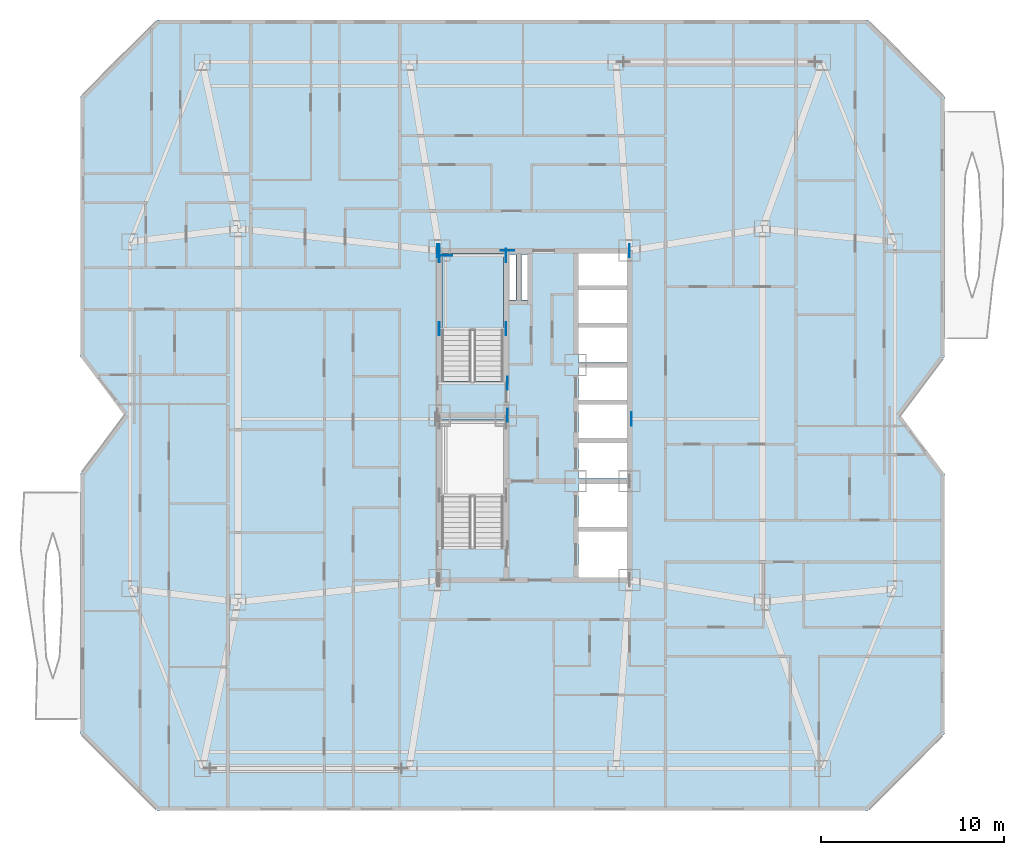
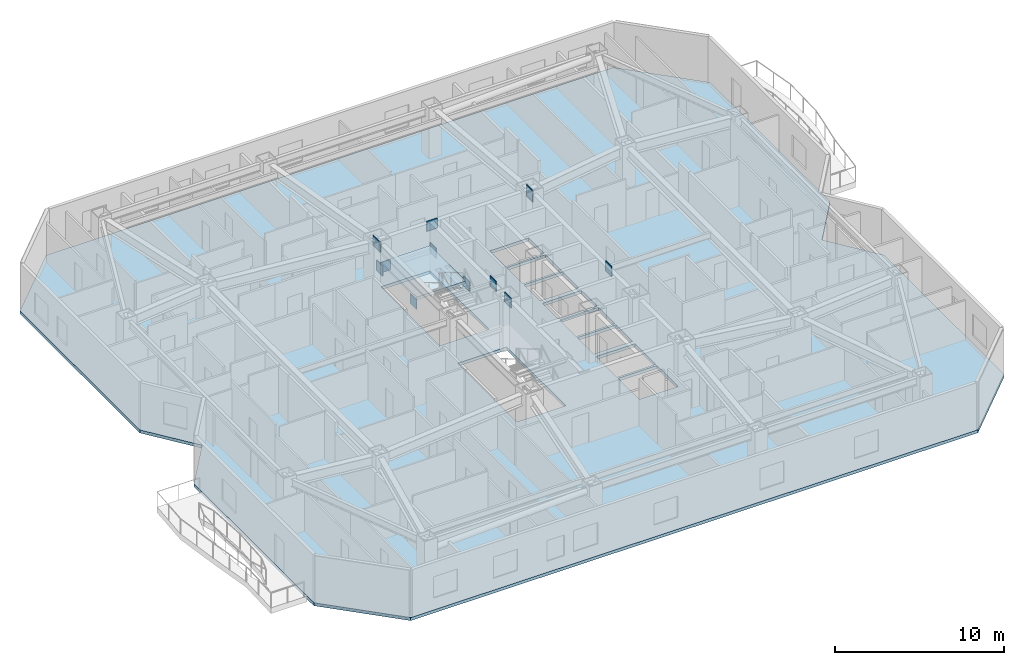
# One storey, part 3 of 16: 13 plates, 2 slabs, 1 element without a shape of its own.
"""IFC4 building model written with IfcOpenShell, lengths in metres."""

import ifcopenshell
import ifcopenshell.guid

model = None  # the IFC model being written
_history = None  # IfcOwnerHistory: only IFC2X3 demands one
_inside = {}  # id of a spatial element -> (the spatial element, [elements in it])
_under = {}  # id of a project, library or spatial element -> (it, [spatial elements below it])
_declared = {}  # id of a project -> (the project, [libraries it declares])
_typed = {}  # id of a type object -> (the type object, [elements of that type])
_made_of = {}  # id of a material, layer set ... -> (it, [elements and type objects made of it])


def new_model(schema):
    """Start an empty IFC model of exactly this schema.

    Asked for "IFC4X3", IfcOpenShell would pick the latest addendum, in which some entities
    have other attributes; the version numbers below select the first issue.
    IFC2X3 requires an IfcOwnerHistory on every rooted entity: one is made here for all.
    """
    global model, _history
    if schema == "IFC4X3":
        model = ifcopenshell.file(schema_version=(4, 3, 0, 0))
    else:
        model = ifcopenshell.file(schema=schema)
    _inside.clear()
    _under.clear()
    _declared.clear()
    _typed.clear()
    _made_of.clear()
    _history = None
    if model.schema == "IFC2X3":
        org = make("IfcOrganization", Name="unknown")
        user = make(
            "IfcPersonAndOrganization",
            ThePerson=make("IfcPerson", FamilyName="unknown"),
            TheOrganization=org,
        )
        app = make(
            "IfcApplication",
            ApplicationDeveloper=org,
            Version="unknown",
            ApplicationFullName="unknown",
            ApplicationIdentifier="unknown",
        )
        _history = make(
            "IfcOwnerHistory",
            OwningUser=user,
            OwningApplication=app,
            ChangeAction="ADDED",
            CreationDate=0,
        )
    return model


def make(cls, **values):
    """One entity of the class cls with the attributes given. An attribute that is None is left unset."""
    return model.create_entity(
        cls, **{name: value for name, value in values.items() if value is not None}
    )


def rooted(cls, **values):
    """An entity with a GlobalId (a new one), such as an element, a storey or a relation."""
    return make(cls, GlobalId=ifcopenshell.guid.new(), OwnerHistory=_history, **values)


def si_unit(unit_type, name, prefix=None):
    """IfcSIUnit, for example si_unit("LENGTHUNIT", "METRE", prefix="MILLI")."""
    return make("IfcSIUnit", UnitType=unit_type, Prefix=prefix, Name=name)


def assignment(units):
    """IfcUnitAssignment: the units of a project."""
    return None if units is None else make("IfcUnitAssignment", Units=units)


def point(xyz):
    """IfcCartesianPoint."""
    return None if xyz is None else make("IfcCartesianPoint", Coordinates=xyz)


def direction(xyz):
    """IfcDirection."""
    return None if xyz is None else make("IfcDirection", DirectionRatios=xyz)


def frame(location, z_axis=None, x_axis=None):
    """IfcAxis2Placement3D, a coordinate frame: its origin and axes. An axis left out is left unset."""
    return make(
        "IfcAxis2Placement3D",
        Location=point(location),
        Axis=direction(z_axis),
        RefDirection=direction(x_axis),
    )


def frame_2d(location, x_axis=None):
    """IfcAxis2Placement2D, a coordinate frame in the plane: its origin and x axis."""
    return make(
        "IfcAxis2Placement2D", Location=point(location), RefDirection=direction(x_axis)
    )


def origin():
    """The frame at (0, 0, 0) with its axes left unset."""
    return frame((0.0, 0.0, 0.0))


def origin_2d():
    """The frame at (0, 0) in the plane with its x axis left unset."""
    return frame_2d((0.0, 0.0))


def place(relative_to, where):
    """IfcLocalPlacement: puts the frame where relative to a parent placement (None: the world)."""
    return make(
        "IfcLocalPlacement", PlacementRelTo=relative_to, RelativePlacement=where
    )


def context(
    kind, dimensions, precision=None, world=None, true_north=None, identifier=None
):
    """IfcGeometricRepresentationContext, for example the 3D "Model" context."""
    return make(
        "IfcGeometricRepresentationContext",
        ContextIdentifier=identifier,
        ContextType=kind,
        CoordinateSpaceDimension=dimensions,
        Precision=precision,
        WorldCoordinateSystem=world,
        TrueNorth=true_north,
    )


def subcontext(parent, identifier, kind, view, scale=None):
    """IfcGeometricRepresentationSubContext, for example "Body" below "Model"."""
    return make(
        "IfcGeometricRepresentationSubContext",
        ContextIdentifier=identifier,
        ContextType=kind,
        ParentContext=parent,
        TargetScale=scale,
        TargetView=view,
    )


def project(units=None, contexts=None):
    """IfcProject with its units and contexts."""
    return rooted(
        "IfcProject",
        Name="project",
        RepresentationContexts=contexts,
        UnitsInContext=assignment(units),
    )


def spatial(cls, under=None, at=None, **own):
    """A site, building, storey or space (cls), placed at a placement, below another one or the project."""
    s = rooted(cls, ObjectPlacement=at, **own)
    if under is not None:
        _under.setdefault(under.id(), (under, []))[1].append(s)
    return s


def polyline(points):
    """IfcPolyline through the points."""
    return make("IfcPolyline", Points=[point(p) for p in points])


def profile(cls, at=None, kind="AREA", **sizes):
    """A parametric profile (cls). Its sizes go by their IFC names, for example OverallWidth=200.0."""
    return make(cls, ProfileType=kind, Position=at, **sizes)


def rectangle(**sizes):
    """IfcRectangleProfileDef."""
    return profile("IfcRectangleProfileDef", **sizes)


def outline(outer, holes=None, kind="AREA"):
    """IfcArbitraryClosedProfileDef: a profile drawn as a closed curve; with holes, ...WithVoids."""
    if holes is None:
        return make("IfcArbitraryClosedProfileDef", ProfileType=kind, OuterCurve=outer)
    return make(
        "IfcArbitraryProfileDefWithVoids",
        ProfileType=kind,
        OuterCurve=outer,
        InnerCurves=holes,
    )


def extrude(swept, where, along, depth):
    """IfcExtrudedAreaSolid: the profile swept, set in the frame where, extruded along a direction by depth."""
    return make(
        "IfcExtrudedAreaSolid",
        SweptArea=swept,
        Position=where,
        ExtrudedDirection=direction(along),
        Depth=depth,
    )


def shape(context_of_items, identifier, shape_type, items):
    """IfcShapeRepresentation: the items that make up one representation, for example the "Body"."""
    return make(
        "IfcShapeRepresentation",
        ContextOfItems=context_of_items,
        RepresentationIdentifier=identifier,
        RepresentationType=shape_type,
        Items=items,
    )


def material(Name=None, Category=None):
    """IfcMaterial."""
    return make("IfcMaterial", Name=Name, Category=Category)


def layer(
    of_material, thickness, ventilated=None, Name=None, Category=None, Priority=None
):
    """IfcMaterialLayer: one layer of a wall or slab, of a material (None: an air gap)."""
    return make(
        "IfcMaterialLayer",
        Material=of_material,
        LayerThickness=thickness,
        IsVentilated=ventilated,
        Name=Name,
        Category=Category,
        Priority=Priority,
    )


def layer_set(layers, Name=None):
    """IfcMaterialLayerSet."""
    return make("IfcMaterialLayerSet", MaterialLayers=layers, LayerSetName=Name)


def made_of(thing, what):
    """Note that an element or type object is made of a material, layer set ...; save() writes the relation."""
    if what is not None:
        _made_of.setdefault(what.id(), (what, []))[1].append(thing)
    return thing


def type_object(cls, material=None, **own):
    """A type object (cls), such as IfcWallType, which elements share."""
    return made_of(rooted(cls, **own), material)


def element(
    cls,
    number,
    at=None,
    inside=None,
    cuts=None,
    type_object=None,
    material=None,
    context=None,
    identifier="Body",
    shape_type=None,
    held_by="IfcProductDefinitionShape",
    body=None,
    shapes=None,
    **own,
):
    """One element of the class cls, such as IfcWall. Its Tag is "e" and its number.

    at: its placement. inside: the storey or other place that contains it. cuts: it is an
    opening in that element (IfcRelVoidsElement). A single representation is given by context,
    identifier, shape_type and body (its items); several are given by shapes. held_by: the class
    of the entity that holds the representations. save() writes the other relations.
    """
    e = rooted(cls, Tag="e%d" % number, ObjectPlacement=at, **own)
    if body is not None:
        shapes = [shape(context, identifier, shape_type, body)]
    if shapes is not None:
        e.Representation = make(held_by, Representations=shapes)
    if inside is not None:
        _inside.setdefault(inside.id(), (inside, []))[1].append(e)
    if cuts is not None:
        rooted(
            "IfcRelVoidsElement", RelatingBuildingElement=cuts, RelatedOpeningElement=e
        )
    if type_object is not None:
        _typed.setdefault(type_object.id(), (type_object, []))[1].append(e)
    return made_of(e, material)


def aggregate(whole, parts):
    """IfcRelAggregates: a whole, such as a stair, and the parts it consists of."""
    return rooted("IfcRelAggregates", RelatingObject=whole, RelatedObjects=parts)


def save(model, path):
    """Write the relations noted so far, then the file.

    IfcRelAggregates (storeys below a building ...), IfcRelContainedInSpatialStructure (elements
    in a storey), IfcRelDefinesByType, IfcRelAssociatesMaterial and IfcRelDeclares: one each for
    every whole, place, type object, material and project.
    """
    for whole, parts in _under.values():
        aggregate(whole, parts)
    for where, things in _inside.values():
        rooted(
            "IfcRelContainedInSpatialStructure",
            RelatedElements=things,
            RelatingStructure=where,
        )
    for kind, things in _typed.values():
        rooted("IfcRelDefinesByType", RelatedObjects=things, RelatingType=kind)
    for what, things in _made_of.values():
        rooted("IfcRelAssociatesMaterial", RelatedObjects=things, RelatingMaterial=what)
    for by, libraries in _declared.values():
        rooted("IfcRelDeclares", RelatingContext=by, RelatedDefinitions=libraries)
    model.write(path)


model = new_model("IFC4")

# Units and contexts
model_context = context("Model", 3, precision=1e-05, world=origin(), true_north=direction((0.0, 1.0)))
body_context = subcontext(model_context, "Body", "Model", "MODEL_VIEW")
ifc_project = project(units=[si_unit("LENGTHUNIT", "METRE"), si_unit("AREAUNIT", "SQUARE_METRE"), si_unit("VOLUMEUNIT", "CUBIC_METRE"), si_unit("PLANEANGLEUNIT", "RADIAN"), si_unit("MASSUNIT", "GRAM", prefix="KILO")], contexts=[model_context])

# Site, building, storey
site_placement = place(None, origin())
site = spatial("IfcSite", under=ifc_project, at=site_placement, CompositionType="ELEMENT")
building_placement = place(site_placement, origin())
building = spatial("IfcBuilding", under=site, at=building_placement, Name="Khamvora Tower", CompositionType="ELEMENT")
storey_placement = place(building_placement, frame((0.0, 0.0, 134.75)))
storey = spatial("IfcBuildingStorey", under=building, at=storey_placement, Name="L34", CompositionType="ELEMENT", Elevation=134.75)

# Plates
ifc_material_1 = material(Name="Steel S460", Category="steel")
ifc_layer_1 = layer(ifc_material_1, 0.034912109375)
ifc_layer_set_1 = layer_set([ifc_layer_1], Name="Steel S460")
plate_type = type_object("IfcPlateType", Name="PL-EMB-35", PredefinedType="SHEET", material=ifc_layer_set_1)
for number, where, z_axis, x_axis, name in (
    (1, (29.0, 32.735107421875, 1.1337890625), (0.0, 0.0, 1.0), (1.0, 0.0, 0.0), "L34 core shear wall cast-in embed plate 0996"),
    (2, (32.64990234375, 32.735107421875, 1.1337890625), (0.0, 0.0, 1.0), (1.0, 0.0, 0.0), "L34 core shear wall cast-in embed plate 0997"),
    (3, (29.0, 36.72998046875, 1.1337890625), (0.0, 0.0, 1.0), (1.0, 0.0, 0.0), "L34 core shear wall cast-in embed plate 0998"),
    (4, (32.64990234375, 36.72998046875, 1.1337890625), (0.0, 0.0, 1.0), (1.0, 0.0, 0.0), "L34 core shear wall cast-in embed plate 0999"),
):
    element("IfcPlate", number, at=place(storey_placement, frame(where, z_axis=z_axis, x_axis=x_axis)), inside=storey, type_object=plate_type, Name=name, PredefinedType="SHEET", context=body_context, shape_type="SweptSolid", body=[
        extrude(rectangle(XDim=0.034912109375, YDim=0.719970703125, at=origin_2d()), origin(), (0.0, 0.0, 1.0), 0.719970703125),
    ])
plate_1_placement = place(storey_placement, frame((29.35009765625, 36.72998046875, 1.1337890625), z_axis=(0.0, 0.0, 1.0), x_axis=(1.0, 0.0, 0.0)))
element("IfcPlate", 5, at=plate_1_placement, inside=storey, type_object=plate_type, Name="L34 core shear wall cast-in embed plate 1000", PredefinedType="SHEET", context=body_context, shape_type="SweptSolid", body=[
    extrude(rectangle(XDim=0.719970703125, YDim=0.034912109375, at=origin_2d()), origin(), (0.0, 0.0, 1.0), 0.719970703125),
])
for number, where, z_axis, x_axis, name in (
    (6, (29.0, 37.0, 2.68310546875), (0.0, 0.0, 1.0), (1.0, 0.0, 0.0), "L34 core shear wall cast-in embed plate 1003"),
    (7, (39.39990234375, 37.0, 2.68310546875), (0.0, 0.0, 1.0), (1.0, 0.0, 0.0), "L34 core shear wall cast-in embed plate 1004"),
    (8, (28.89990234375, 37.0, 2.80322265625), (0.0, 0.0, 1.0), (1.0, 0.0, 0.0), "L34 core shear wall cast-in embed plate 1007"),
    (9, (32.72998046875, 28.0, 2.80322265625), (0.0, 0.0, 1.0), (1.0, 0.0, 0.0), "L34 core shear wall cast-in embed plate 1009"),
):
    element("IfcPlate", number, at=place(storey_placement, frame(where, z_axis=z_axis, x_axis=x_axis)), inside=storey, type_object=plate_type, Name=name, PredefinedType="SHEET", context=body_context, shape_type="SweptSolid", body=[
        extrude(rectangle(XDim=0.034912109375, YDim=0.719970703125, at=origin_2d()), origin(), (0.0, 0.0, 1.0), 0.719970703125),
    ])
plate_2_placement = place(storey_placement, frame((32.72998046875, 37.0, 2.80322265625), z_axis=(0.0, 0.0, 1.0), x_axis=(1.0, 0.0, 0.0)))
element("IfcPlate", 10, at=plate_2_placement, inside=storey, type_object=plate_type, Name="L34 core shear wall cast-in embed plate 1010", PredefinedType="SHEET", context=body_context, shape_type="SweptSolid", body=[
    extrude(rectangle(XDim=0.719970703125, YDim=0.034912109375, at=origin_2d()), origin(), (0.0, 0.0, 1.0), 0.719970703125),
])
for number, where, z_axis, x_axis, name in (
    (11, (39.39990234375, 37.0, 2.80322265625), (0.0, 0.0, 1.0), (1.0, 0.0, 0.0), "L34 core shear wall cast-in embed plate 1013"),
    (12, (32.72998046875, 29.75, 2.94384765625), (0.0, 0.0, 1.0), (1.0, 0.0, 0.0), "L34 core shear wall cast-in embed plate 1017"),
    (13, (39.4990234375, 27.800048828125, 2.8408203125), (0.0, 0.0, 1.0), (1.0, 0.0, 0.0), "L34 core shear wall cast-in embed plate 1019"),
):
    element("IfcPlate", number, at=place(storey_placement, frame(where, z_axis=z_axis, x_axis=x_axis)), inside=storey, type_object=plate_type, Name=name, PredefinedType="SHEET", context=body_context, shape_type="SweptSolid", body=[
        extrude(rectangle(XDim=0.034912109375, YDim=0.719970703125, at=origin_2d()), origin(), (0.0, 0.0, 1.0), 0.719970703125),
    ])

# Stair, slab
ifc_material_2 = material(Name="Concrete C40/50", Category="concrete")
stair_type = type_object("IfcStairType", Name="STR-ST-02", PredefinedType="HALF_TURN_STAIR", material=ifc_material_2)
stair_placement = place(storey_placement, origin())
stair = element("IfcStair", 14, at=stair_placement, inside=storey, type_object=stair_type, Name="L34 North Tower Exit Stair ST-02", PredefinedType="HALF_TURN_STAIR")
ifc_layer_2 = layer(ifc_material_2, 0.199951171875)
ifc_layer_set_2 = layer_set([ifc_layer_2], Name="Concrete C40/50")
slab_type_1 = type_object("IfcSlabType", Name="SLB-LND-200", PredefinedType="LANDING", material=ifc_layer_set_2)
slab_1_placement = place(storey_placement, frame((0.0, 0.0, 1.625)))
slab_1 = element("IfcSlab", 15, at=slab_1_placement, type_object=slab_type_1, Name="ST-02 landing 1", PredefinedType="LANDING", context=body_context, shape_type="SweptSolid", body=[
    extrude(outline(polyline([(32.5, 32.614990234375), (32.5, 36.85009765625), (29.14990234375, 36.85009765625), (29.14990234375, 32.614990234375), (32.5, 32.614990234375)])), origin(), (0.0, 0.0, 1.0), 0.199951171875),
])
aggregate(stair, [slab_1])

# Slab
ifc_material_3 = material(Name="Concrete C35/45", Category="concrete")
ifc_layer_3 = layer(ifc_material_3, 0.219970703125)
ifc_layer_set_3 = layer_set([ifc_layer_3], Name="Concrete C35/45")
slab_type_2 = type_object("IfcSlabType", Name="SLB-TYP-220", PredefinedType="FLOOR", material=ifc_layer_set_3)
slab_2_placement = place(storey_placement, frame((0.0, 0.0, -0.219970703125)))
element("IfcSlab", 16, at=slab_2_placement, inside=storey, type_object=slab_type_2, Name="L34 structural floor slab", PredefinedType="FLOOR", context=body_context, shape_type="SweptSolid", body=[
    extrude(outline(polyline([(13.60009765625, 6.39990234375), (52.39990234375, 6.39990234375), (56.60009765625, 10.60009765625), (56.60009765625, 24.800048828125), (54.199951171875, 28.0), (56.60009765625, 31.199951171875), (56.60009765625, 45.39990234375), (52.39990234375, 49.60009765625), (13.60009765625, 49.60009765625), (9.39990234375, 45.39990234375), (9.39990234375, 31.199951171875), (11.800048828125, 28.0), (9.39990234375, 24.800048828125), (9.39990234375, 10.60009765625), (13.60009765625, 6.39990234375)]), holes=[polyline([(32.5, 20.760009765625), (32.5, 27.75), (29.14990234375, 27.75), (29.14990234375, 20.760009765625), (32.5, 20.760009765625)]), polyline([(32.5, 29.860107421875), (32.5, 36.85009765625), (29.14990234375, 36.85009765625), (29.14990234375, 29.860107421875), (32.5, 29.860107421875)]), polyline([(36.60009765625, 19.14990234375), (39.25, 19.14990234375), (39.25, 21.64990234375), (36.60009765625, 21.64990234375), (36.60009765625, 19.14990234375)]), polyline([(36.60009765625, 21.800048828125), (39.25, 21.800048828125), (39.25, 24.25), (36.60009765625, 24.25), (36.60009765625, 21.800048828125)]), polyline([(36.60009765625, 24.550048828125), (39.25, 24.550048828125), (39.25, 26.5), (36.60009765625, 26.5), (36.60009765625, 24.550048828125)]), polyline([(36.60009765625, 26.64990234375), (39.25, 26.64990234375), (39.25, 28.60009765625), (36.60009765625, 28.60009765625), (36.60009765625, 26.64990234375)]), polyline([(36.60009765625, 28.75), (39.25, 28.75), (39.25, 30.60009765625), (36.60009765625, 30.60009765625), (36.60009765625, 28.75)]), polyline([(36.60009765625, 30.89990234375), (39.25, 30.89990234375), (39.25, 32.800048828125), (36.60009765625, 32.800048828125), (36.60009765625, 30.89990234375)]), polyline([(36.60009765625, 32.949951171875), (39.25, 32.949951171875), (39.25, 34.85009765625), (36.60009765625, 34.85009765625), (36.60009765625, 32.949951171875)]), polyline([(36.60009765625, 35.0), (39.25, 35.0), (39.25, 36.85009765625), (36.60009765625, 36.85009765625), (36.60009765625, 35.0)]), polyline([(32.800048828125, 34.300048828125), (33.199951171875, 34.300048828125), (33.199951171875, 36.800048828125), (32.800048828125, 36.800048828125), (32.800048828125, 34.300048828125)]), polyline([(33.47998046875, 34.300048828125), (33.820068359375, 34.300048828125), (33.820068359375, 36.800048828125), (33.47998046875, 36.800048828125), (33.47998046875, 34.300048828125)])]), origin(), (0.0, 0.0, 1.0), 0.219970703125),
])

save(model, "model.ifc")
